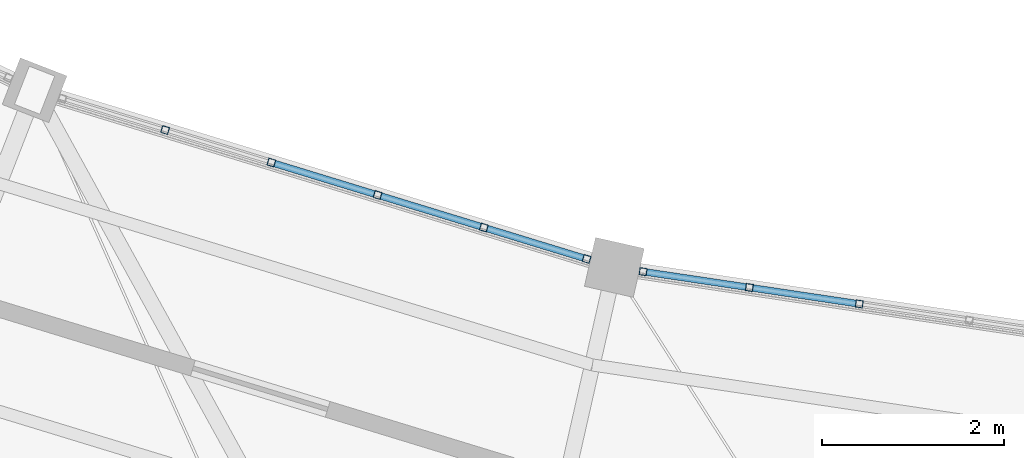
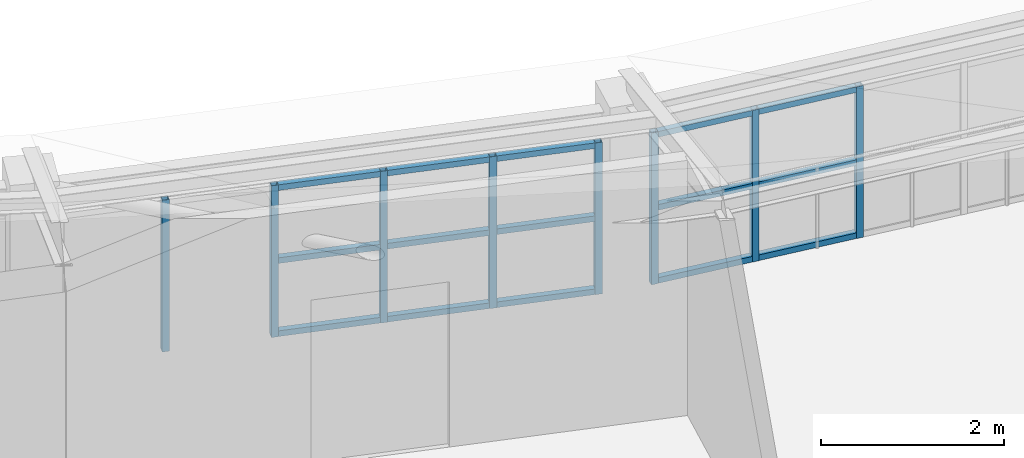
# One storey, part 35 of 149: 23 members, 2 elements without a shape of their own.
"""IFC4 building model written with IfcOpenShell, lengths in metres."""

import ifcopenshell
import ifcopenshell.guid

model = None  # the IFC model being written
_history = None  # IfcOwnerHistory: only IFC2X3 demands one
_inside = {}  # id of a spatial element -> (the spatial element, [elements in it])
_under = {}  # id of a project, library or spatial element -> (it, [spatial elements below it])
_declared = {}  # id of a project -> (the project, [libraries it declares])
_typed = {}  # id of a type object -> (the type object, [elements of that type])
_made_of = {}  # id of a material, layer set ... -> (it, [elements and type objects made of it])


def new_model(schema):
    """Start an empty IFC model of exactly this schema.

    Asked for "IFC4X3", IfcOpenShell would pick the latest addendum, in which some entities
    have other attributes; the version numbers below select the first issue.
    IFC2X3 requires an IfcOwnerHistory on every rooted entity: one is made here for all.
    """
    global model, _history
    if schema == "IFC4X3":
        model = ifcopenshell.file(schema_version=(4, 3, 0, 0))
    else:
        model = ifcopenshell.file(schema=schema)
    _inside.clear()
    _under.clear()
    _declared.clear()
    _typed.clear()
    _made_of.clear()
    _history = None
    if model.schema == "IFC2X3":
        org = make("IfcOrganization", Name="unknown")
        user = make(
            "IfcPersonAndOrganization",
            ThePerson=make("IfcPerson", FamilyName="unknown"),
            TheOrganization=org,
        )
        app = make(
            "IfcApplication",
            ApplicationDeveloper=org,
            Version="unknown",
            ApplicationFullName="unknown",
            ApplicationIdentifier="unknown",
        )
        _history = make(
            "IfcOwnerHistory",
            OwningUser=user,
            OwningApplication=app,
            ChangeAction="ADDED",
            CreationDate=0,
        )
    return model


def make(cls, **values):
    """One entity of the class cls with the attributes given. An attribute that is None is left unset."""
    return model.create_entity(
        cls, **{name: value for name, value in values.items() if value is not None}
    )


def rooted(cls, **values):
    """An entity with a GlobalId (a new one), such as an element, a storey or a relation."""
    return make(cls, GlobalId=ifcopenshell.guid.new(), OwnerHistory=_history, **values)


def si_unit(unit_type, name, prefix=None):
    """IfcSIUnit, for example si_unit("LENGTHUNIT", "METRE", prefix="MILLI")."""
    return make("IfcSIUnit", UnitType=unit_type, Prefix=prefix, Name=name)


def assignment(units):
    """IfcUnitAssignment: the units of a project."""
    return None if units is None else make("IfcUnitAssignment", Units=units)


def point(xyz):
    """IfcCartesianPoint."""
    return None if xyz is None else make("IfcCartesianPoint", Coordinates=xyz)


def direction(xyz):
    """IfcDirection."""
    return None if xyz is None else make("IfcDirection", DirectionRatios=xyz)


def frame(location, z_axis=None, x_axis=None):
    """IfcAxis2Placement3D, a coordinate frame: its origin and axes. An axis left out is left unset."""
    return make(
        "IfcAxis2Placement3D",
        Location=point(location),
        Axis=direction(z_axis),
        RefDirection=direction(x_axis),
    )


def frame_2d(location, x_axis=None):
    """IfcAxis2Placement2D, a coordinate frame in the plane: its origin and x axis."""
    return make(
        "IfcAxis2Placement2D", Location=point(location), RefDirection=direction(x_axis)
    )


def origin():
    """The frame at (0, 0, 0) with its axes left unset."""
    return frame((0.0, 0.0, 0.0))


def origin_2d():
    """The frame at (0, 0) in the plane with its x axis left unset."""
    return frame_2d((0.0, 0.0))


def place(relative_to, where):
    """IfcLocalPlacement: puts the frame where relative to a parent placement (None: the world)."""
    return make(
        "IfcLocalPlacement", PlacementRelTo=relative_to, RelativePlacement=where
    )


def context(
    kind, dimensions, precision=None, world=None, true_north=None, identifier=None
):
    """IfcGeometricRepresentationContext, for example the 3D "Model" context."""
    return make(
        "IfcGeometricRepresentationContext",
        ContextIdentifier=identifier,
        ContextType=kind,
        CoordinateSpaceDimension=dimensions,
        Precision=precision,
        WorldCoordinateSystem=world,
        TrueNorth=true_north,
    )


def subcontext(parent, identifier, kind, view, scale=None):
    """IfcGeometricRepresentationSubContext, for example "Body" below "Model"."""
    return make(
        "IfcGeometricRepresentationSubContext",
        ContextIdentifier=identifier,
        ContextType=kind,
        ParentContext=parent,
        TargetScale=scale,
        TargetView=view,
    )


def project(units=None, contexts=None):
    """IfcProject with its units and contexts."""
    return rooted(
        "IfcProject",
        Name="project",
        RepresentationContexts=contexts,
        UnitsInContext=assignment(units),
    )


def spatial(cls, under=None, at=None, **own):
    """A site, building, storey or space (cls), placed at a placement, below another one or the project."""
    s = rooted(cls, ObjectPlacement=at, **own)
    if under is not None:
        _under.setdefault(under.id(), (under, []))[1].append(s)
    return s


def profile(cls, at=None, kind="AREA", **sizes):
    """A parametric profile (cls). Its sizes go by their IFC names, for example OverallWidth=200.0."""
    return make(cls, ProfileType=kind, Position=at, **sizes)


def hollow_rectangle(**sizes):
    """IfcRectangleHollowProfileDef."""
    return profile("IfcRectangleHollowProfileDef", **sizes)


def extrude(swept, where, along, depth):
    """IfcExtrudedAreaSolid: the profile swept, set in the frame where, extruded along a direction by depth."""
    return make(
        "IfcExtrudedAreaSolid",
        SweptArea=swept,
        Position=where,
        ExtrudedDirection=direction(along),
        Depth=depth,
    )


def shape(context_of_items, identifier, shape_type, items):
    """IfcShapeRepresentation: the items that make up one representation, for example the "Body"."""
    return make(
        "IfcShapeRepresentation",
        ContextOfItems=context_of_items,
        RepresentationIdentifier=identifier,
        RepresentationType=shape_type,
        Items=items,
    )


def material(Name=None, Category=None):
    """IfcMaterial."""
    return make("IfcMaterial", Name=Name, Category=Category)


def material_profile(
    of_material, cross_section, Name=None, Category=None, Priority=None
):
    """IfcMaterialProfile: a cross section and its material."""
    return make(
        "IfcMaterialProfile",
        Name=Name,
        Material=of_material,
        Profile=cross_section,
        Priority=Priority,
        Category=Category,
    )


def profile_set(profiles, Name=None, composite=None):
    """IfcMaterialProfileSet."""
    return make(
        "IfcMaterialProfileSet",
        Name=Name,
        MaterialProfiles=profiles,
        CompositeProfile=composite,
    )


def made_of(thing, what):
    """Note that an element or type object is made of a material, layer set ...; save() writes the relation."""
    if what is not None:
        _made_of.setdefault(what.id(), (what, []))[1].append(thing)
    return thing


def type_object(cls, material=None, **own):
    """A type object (cls), such as IfcWallType, which elements share."""
    return made_of(rooted(cls, **own), material)


def element(
    cls,
    number,
    at=None,
    inside=None,
    cuts=None,
    type_object=None,
    material=None,
    context=None,
    identifier="Body",
    shape_type=None,
    held_by="IfcProductDefinitionShape",
    body=None,
    shapes=None,
    **own,
):
    """One element of the class cls, such as IfcWall. Its Tag is "e" and its number.

    at: its placement. inside: the storey or other place that contains it. cuts: it is an
    opening in that element (IfcRelVoidsElement). A single representation is given by context,
    identifier, shape_type and body (its items); several are given by shapes. held_by: the class
    of the entity that holds the representations. save() writes the other relations.
    """
    e = rooted(cls, Tag="e%d" % number, ObjectPlacement=at, **own)
    if body is not None:
        shapes = [shape(context, identifier, shape_type, body)]
    if shapes is not None:
        e.Representation = make(held_by, Representations=shapes)
    if inside is not None:
        _inside.setdefault(inside.id(), (inside, []))[1].append(e)
    if cuts is not None:
        rooted(
            "IfcRelVoidsElement", RelatingBuildingElement=cuts, RelatedOpeningElement=e
        )
    if type_object is not None:
        _typed.setdefault(type_object.id(), (type_object, []))[1].append(e)
    return made_of(e, material)


def aggregate(whole, parts):
    """IfcRelAggregates: a whole, such as a stair, and the parts it consists of."""
    return rooted("IfcRelAggregates", RelatingObject=whole, RelatedObjects=parts)


def save(model, path):
    """Write the relations noted so far, then the file.

    IfcRelAggregates (storeys below a building ...), IfcRelContainedInSpatialStructure (elements
    in a storey), IfcRelDefinesByType, IfcRelAssociatesMaterial and IfcRelDeclares: one each for
    every whole, place, type object, material and project.
    """
    for whole, parts in _under.values():
        aggregate(whole, parts)
    for where, things in _inside.values():
        rooted(
            "IfcRelContainedInSpatialStructure",
            RelatedElements=things,
            RelatingStructure=where,
        )
    for kind, things in _typed.values():
        rooted("IfcRelDefinesByType", RelatedObjects=things, RelatingType=kind)
    for what, things in _made_of.values():
        rooted("IfcRelAssociatesMaterial", RelatedObjects=things, RelatingMaterial=what)
    for by, libraries in _declared.values():
        rooted("IfcRelDeclares", RelatingContext=by, RelatedDefinitions=libraries)
    model.write(path)


model = new_model("IFC4")

# Units and contexts
model_context = context("Model", 3, precision=1e-05, world=origin(), true_north=direction((0.0, 1.0)))
body_context = subcontext(model_context, "Body", "Model", "MODEL_VIEW")
ifc_project = project(units=[si_unit("LENGTHUNIT", "METRE"), si_unit("AREAUNIT", "SQUARE_METRE"), si_unit("VOLUMEUNIT", "CUBIC_METRE"), si_unit("PLANEANGLEUNIT", "RADIAN"), si_unit("MASSUNIT", "GRAM", prefix="KILO")], contexts=[model_context])

# Site, building, storey
site_placement = place(None, origin())
site = spatial("IfcSite", under=ifc_project, at=site_placement, CompositionType="ELEMENT")
building_placement = place(site_placement, origin())
building = spatial("IfcBuilding", under=site, at=building_placement, Name="Celadon Cloister-Ring School", CompositionType="ELEMENT")
storey_placement = place(building_placement, frame((0.0, 0.0, 12.5)))
storey = spatial("IfcBuildingStorey", under=building, at=storey_placement, Name="L03", CompositionType="ELEMENT", Elevation=12.5)

# Curtain wall, members
ifc_material_1 = material(Name="Aluminium EN AW-6063 T6", Category="aluminium")
curtain_wall_type = type_object("IfcCurtainWallType", Name="CW-02", PredefinedType="USERDEFINED", material=ifc_material_1)
curtain_wall_1_placement = place(storey_placement, origin())
curtain_wall_1 = element("IfcCurtainWall", 1, at=curtain_wall_1_placement, inside=storey, type_object=curtain_wall_type, Name="Curtain Wall 0059", ObjectType="CURTAIN WALL", PredefinedType="USERDEFINED")
ifc_material_2 = material(Name="Aluminium EN AW-6063 T6", Category="aluminium")
ifc_material_profile_1 = material_profile(ifc_material_2, hollow_rectangle(XDim=0.080078125, YDim=0.080078125, WallThickness=0.00390625, at=origin_2d()), Name="RHS80X80X4")
ifc_profile_set_1 = profile_set([ifc_material_profile_1], Name="Aluminium EN AW-6063 T6")
member_type_1 = type_object("IfcMemberType", Name="CM-03", PredefinedType="MULLION", material=ifc_profile_set_1)
member_1_placement = place(storey_placement, frame((72.13330078125, 16.618896484375, 0.0), z_axis=(0.0, 0.0, 1.0), x_axis=(0.292405705746, 0.956294360146, 0.0)))
member_1 = element("IfcMember", 2, at=member_1_placement, type_object=member_type_1, Name="CW-02 mullion 2", PredefinedType="MULLION", context=body_context, shape_type="SweptSolid", body=[
    extrude(hollow_rectangle(XDim=0.080078125, YDim=0.080078125, WallThickness=0.00390625, at=origin_2d()), origin(), (0.0, 0.0, 1.0), 2.02001953125),
])
member_2_placement = place(storey_placement, frame((73.301513671875, 16.26171875, 0.0), z_axis=(0.0, 0.0, 1.0), x_axis=(0.292405705746, 0.956294360146, 0.0)))
member_2 = element("IfcMember", 3, at=member_2_placement, type_object=member_type_1, Name="CW-02 mullion 3", PredefinedType="MULLION", context=body_context, shape_type="SweptSolid", body=[
    extrude(hollow_rectangle(XDim=0.080078125, YDim=0.080078125, WallThickness=0.00390625, at=origin_2d()), origin(), (0.0, 0.0, 1.0), 2.02001953125),
])
member_3_placement = place(storey_placement, frame((74.469482421875, 15.904296875, 0.0), z_axis=(0.0, 0.0, 1.0), x_axis=(0.292405705746, 0.956294360146, 0.0)))
member_3 = element("IfcMember", 4, at=member_3_placement, type_object=member_type_1, Name="CW-02 mullion 4", PredefinedType="MULLION", context=body_context, shape_type="SweptSolid", body=[
    extrude(hollow_rectangle(XDim=0.080078125, YDim=0.080078125, WallThickness=0.00390625, at=origin_2d()), origin(), (0.0, 0.0, 1.0), 2.02001953125),
])
member_4_placement = place(storey_placement, frame((75.6376953125, 15.547119140625, 0.0), z_axis=(0.0, 0.0, 1.0), x_axis=(0.292405705746, 0.956294360146, 0.0)))
member_4 = element("IfcMember", 5, at=member_4_placement, type_object=member_type_1, Name="CW-02 mullion 5", PredefinedType="MULLION", context=body_context, shape_type="SweptSolid", body=[
    extrude(hollow_rectangle(XDim=0.080078125, YDim=0.080078125, WallThickness=0.00390625, at=origin_2d()), origin(), (0.0, 0.0, 1.0), 2.02001953125),
])
member_5_placement = place(storey_placement, frame((76.767822265625, 15.20166015625, 0.0), z_axis=(0.0, 0.0, 1.0), x_axis=(0.292405705746, 0.956294360146, 0.0)))
member_5 = element("IfcMember", 6, at=member_5_placement, type_object=member_type_1, Name="CW-02 mullion 6", PredefinedType="MULLION", context=body_context, shape_type="SweptSolid", body=[
    extrude(hollow_rectangle(XDim=0.080078125, YDim=0.080078125, WallThickness=0.00390625, at=origin_2d()), origin(), (0.0, 0.0, 1.0), 2.02001953125),
])

curtain_wall_2_placement = place(storey_placement, origin())
curtain_wall_2 = element("IfcCurtainWall", 7, at=curtain_wall_2_placement, inside=storey, type_object=curtain_wall_type, Name="Curtain Wall 0060", ObjectType="CURTAIN WALL", PredefinedType="USERDEFINED")
member_6_placement = place(storey_placement, frame((77.388671875, 15.06201171875, 0.0), z_axis=(0.0, 0.0, 1.0), x_axis=(0.147812141048, 0.989015455369, 0.0)))
member_6 = element("IfcMember", 8, at=member_6_placement, type_object=member_type_1, Name="CW-02 mullion 1", PredefinedType="MULLION", context=body_context, shape_type="SweptSolid", body=[
    extrude(hollow_rectangle(XDim=0.080078125, YDim=0.080078125, WallThickness=0.00390625, at=origin_2d()), origin(), (0.0, 0.0, 1.0), 2.02001953125),
])
member_7_placement = place(storey_placement, frame((78.557373046875, 14.887451171875, 0.0), z_axis=(0.0, 0.0, 1.0), x_axis=(0.147812141048, 0.989015455369, 0.0)))
member_7 = element("IfcMember", 9, at=member_7_placement, type_object=member_type_1, Name="CW-02 mullion 2", PredefinedType="MULLION", context=body_context, shape_type="SweptSolid", body=[
    extrude(hollow_rectangle(XDim=0.080078125, YDim=0.080078125, WallThickness=0.00390625, at=origin_2d()), origin(), (0.0, 0.0, 1.0), 2.02001953125),
])
member_8_placement = place(storey_placement, frame((79.765869140625, 14.706787109375, 0.0), z_axis=(0.0, 0.0, 1.0), x_axis=(0.147812141048, 0.989015455369, 0.0)))
member_8 = element("IfcMember", 10, at=member_8_placement, type_object=member_type_1, Name="CW-02 mullion 3", PredefinedType="MULLION", context=body_context, shape_type="SweptSolid", body=[
    extrude(hollow_rectangle(XDim=0.080078125, YDim=0.080078125, WallThickness=0.00390625, at=origin_2d()), origin(), (0.0, 0.0, 1.0), 2.02001953125),
])

# Member
ifc_material_3 = material(Name="Aluminium EN AW-6063 T6", Category="aluminium")
ifc_material_profile_2 = material_profile(ifc_material_3, hollow_rectangle(XDim=0.074951171875, YDim=0.074951171875, WallThickness=0.00390625, at=origin_2d()), Name="RHS75X75X4")
ifc_profile_set_2 = profile_set([ifc_material_profile_2], Name="Aluminium EN AW-6063 T6")
member_type_2 = type_object("IfcMemberType", Name="CTM-03", PredefinedType="USERDEFINED", material=ifc_profile_set_2)
member_9_placement = place(storey_placement, frame((73.339599609375, 16.25, 0.03759765625), z_axis=(0.956258565169, -0.292522745338, 0.0), x_axis=(0.292522745338, 0.956258565169, 0.0)))
member_9 = element("IfcMember", 11, at=member_9_placement, type_object=member_type_2, Name="CW-02 transom 3.1", ObjectType="TRANSOM", PredefinedType="USERDEFINED", context=body_context, shape_type="SweptSolid", body=[
    extrude(hollow_rectangle(XDim=0.074951171875, YDim=0.074951171875, WallThickness=0.00390625, at=origin_2d()), origin(), (0.0, 0.0, 1.0), 1.141845703125),
])

member_10_placement = place(storey_placement, frame((73.339599609375, 16.25, 1.010009765625), z_axis=(0.956258565169, -0.292522745338, 0.0), x_axis=(0.292522745338, 0.956258565169, 0.0)))
member_10 = element("IfcMember", 12, at=member_10_placement, type_object=member_type_2, Name="CW-02 transom 3.2", ObjectType="TRANSOM", PredefinedType="USERDEFINED", context=body_context, shape_type="SweptSolid", body=[
    extrude(hollow_rectangle(XDim=0.074951171875, YDim=0.074951171875, WallThickness=0.00390625, at=origin_2d()), origin(), (0.0, 0.0, 1.0), 1.141845703125),
])

member_11_placement = place(storey_placement, frame((73.339599609375, 16.25, 1.982421875), z_axis=(0.956258565169, -0.292522745338, 0.0), x_axis=(0.292522745338, 0.956258565169, 0.0)))
member_11 = element("IfcMember", 13, at=member_11_placement, type_object=member_type_2, Name="CW-02 transom 3.3", ObjectType="TRANSOM", PredefinedType="USERDEFINED", context=body_context, shape_type="SweptSolid", body=[
    extrude(hollow_rectangle(XDim=0.074951171875, YDim=0.074951171875, WallThickness=0.00390625, at=origin_2d()), origin(), (0.0, 0.0, 1.0), 1.141845703125),
])

member_12_placement = place(storey_placement, frame((74.5078125, 15.892822265625, 0.03759765625), z_axis=(0.956258565169, -0.292522745338, 0.0), x_axis=(0.292522745338, 0.956258565169, 0.0)))
member_12 = element("IfcMember", 14, at=member_12_placement, type_object=member_type_2, Name="CW-02 transom 4.1", ObjectType="TRANSOM", PredefinedType="USERDEFINED", context=body_context, shape_type="SweptSolid", body=[
    extrude(hollow_rectangle(XDim=0.074951171875, YDim=0.074951171875, WallThickness=0.00390625, at=origin_2d()), origin(), (0.0, 0.0, 1.0), 1.141845703125),
])

member_13_placement = place(storey_placement, frame((74.5078125, 15.892822265625, 1.010009765625), z_axis=(0.956258565169, -0.292522745338, 0.0), x_axis=(0.292522745338, 0.956258565169, 0.0)))
member_13 = element("IfcMember", 15, at=member_13_placement, type_object=member_type_2, Name="CW-02 transom 4.2", ObjectType="TRANSOM", PredefinedType="USERDEFINED", context=body_context, shape_type="SweptSolid", body=[
    extrude(hollow_rectangle(XDim=0.074951171875, YDim=0.074951171875, WallThickness=0.00390625, at=origin_2d()), origin(), (0.0, 0.0, 1.0), 1.141845703125),
])

member_14_placement = place(storey_placement, frame((74.5078125, 15.892822265625, 1.982421875), z_axis=(0.956258565169, -0.292522745338, 0.0), x_axis=(0.292522745338, 0.956258565169, 0.0)))
member_14 = element("IfcMember", 16, at=member_14_placement, type_object=member_type_2, Name="CW-02 transom 4.3", ObjectType="TRANSOM", PredefinedType="USERDEFINED", context=body_context, shape_type="SweptSolid", body=[
    extrude(hollow_rectangle(XDim=0.074951171875, YDim=0.074951171875, WallThickness=0.00390625, at=origin_2d()), origin(), (0.0, 0.0, 1.0), 1.141845703125),
])

member_15_placement = place(storey_placement, frame((75.676025390625, 15.535400390625, 0.03759765625), z_axis=(0.956318876314, -0.292325515147, 0.0), x_axis=(0.292325515147, 0.956318876314, 0.0)))
member_15 = element("IfcMember", 17, at=member_15_placement, type_object=member_type_2, Name="CW-02 transom 5.1", ObjectType="TRANSOM", PredefinedType="USERDEFINED", context=body_context, shape_type="SweptSolid", body=[
    extrude(hollow_rectangle(XDim=0.074951171875, YDim=0.074951171875, WallThickness=0.00390625, at=origin_2d()), origin(), (0.0, 0.0, 1.0), 1.1015625),
])

member_16_placement = place(storey_placement, frame((75.676025390625, 15.535400390625, 1.010009765625), z_axis=(0.956318876314, -0.292325515147, 0.0), x_axis=(0.292325515147, 0.956318876314, 0.0)))
member_16 = element("IfcMember", 18, at=member_16_placement, type_object=member_type_2, Name="CW-02 transom 5.2", ObjectType="TRANSOM", PredefinedType="USERDEFINED", context=body_context, shape_type="SweptSolid", body=[
    extrude(hollow_rectangle(XDim=0.074951171875, YDim=0.074951171875, WallThickness=0.00390625, at=origin_2d()), origin(), (0.0, 0.0, 1.0), 1.1015625),
])

member_17_placement = place(storey_placement, frame((75.676025390625, 15.535400390625, 1.982421875), z_axis=(0.956318876314, -0.292325515147, 0.0), x_axis=(0.292325515147, 0.956318876314, 0.0)))
member_17 = element("IfcMember", 19, at=member_17_placement, type_object=member_type_2, Name="CW-02 transom 5.3", ObjectType="TRANSOM", PredefinedType="USERDEFINED", context=body_context, shape_type="SweptSolid", body=[
    extrude(hollow_rectangle(XDim=0.074951171875, YDim=0.074951171875, WallThickness=0.00390625, at=origin_2d()), origin(), (0.0, 0.0, 1.0), 1.1015625),
])

aggregate(curtain_wall_1, [member_1, member_2, member_3, member_4, member_5, member_9, member_10, member_11, member_12, member_13, member_14, member_15, member_16, member_17])

member_18_placement = place(storey_placement, frame((77.42822265625, 15.05615234375, 0.03759765625), z_axis=(0.989015857499, -0.147809450359, 0.0), x_axis=(0.147809450359, 0.989015857499, 0.0)))
member_18 = element("IfcMember", 20, at=member_18_placement, type_object=member_type_2, Name="CW-02 transom 1.1", ObjectType="TRANSOM", PredefinedType="USERDEFINED", context=body_context, shape_type="SweptSolid", body=[
    extrude(hollow_rectangle(XDim=0.074951171875, YDim=0.074951171875, WallThickness=0.00390625, at=origin_2d()), origin(), (0.0, 0.0, 1.0), 1.101806640625),
])

member_19_placement = place(storey_placement, frame((77.42822265625, 15.05615234375, 1.010009765625), z_axis=(0.989015857499, -0.147809450359, 0.0), x_axis=(0.147809450359, 0.989015857499, 0.0)))
member_19 = element("IfcMember", 21, at=member_19_placement, type_object=member_type_2, Name="CW-02 transom 1.2", ObjectType="TRANSOM", PredefinedType="USERDEFINED", context=body_context, shape_type="SweptSolid", body=[
    extrude(hollow_rectangle(XDim=0.074951171875, YDim=0.074951171875, WallThickness=0.00390625, at=origin_2d()), origin(), (0.0, 0.0, 1.0), 1.101806640625),
])

member_20_placement = place(storey_placement, frame((77.42822265625, 15.05615234375, 1.982421875), z_axis=(0.989015857499, -0.147809450359, 0.0), x_axis=(0.147809450359, 0.989015857499, 0.0)))
member_20 = element("IfcMember", 22, at=member_20_placement, type_object=member_type_2, Name="CW-02 transom 1.3", ObjectType="TRANSOM", PredefinedType="USERDEFINED", context=body_context, shape_type="SweptSolid", body=[
    extrude(hollow_rectangle(XDim=0.074951171875, YDim=0.074951171875, WallThickness=0.00390625, at=origin_2d()), origin(), (0.0, 0.0, 1.0), 1.101806640625),
])

member_21_placement = place(storey_placement, frame((78.596923828125, 14.881591796875, 0.03759765625), z_axis=(0.988995862665, -0.147943177035, 0.0), x_axis=(0.147943177035, 0.988995862665, 0.0)))
member_21 = element("IfcMember", 23, at=member_21_placement, type_object=member_type_2, Name="CW-02 transom 2.1", ObjectType="TRANSOM", PredefinedType="USERDEFINED", context=body_context, shape_type="SweptSolid", body=[
    extrude(hollow_rectangle(XDim=0.074951171875, YDim=0.074951171875, WallThickness=0.00390625, at=origin_2d()), origin(), (0.0, 0.0, 1.0), 1.141845703125),
])

member_22_placement = place(storey_placement, frame((78.596923828125, 14.881591796875, 1.010009765625), z_axis=(0.988995862665, -0.147943177035, 0.0), x_axis=(0.147943177035, 0.988995862665, 0.0)))
member_22 = element("IfcMember", 24, at=member_22_placement, type_object=member_type_2, Name="CW-02 transom 2.2", ObjectType="TRANSOM", PredefinedType="USERDEFINED", context=body_context, shape_type="SweptSolid", body=[
    extrude(hollow_rectangle(XDim=0.074951171875, YDim=0.074951171875, WallThickness=0.00390625, at=origin_2d()), origin(), (0.0, 0.0, 1.0), 1.141845703125),
])

member_23_placement = place(storey_placement, frame((78.596923828125, 14.881591796875, 1.982421875), z_axis=(0.988995862665, -0.147943177035, 0.0), x_axis=(0.147943177035, 0.988995862665, 0.0)))
member_23 = element("IfcMember", 25, at=member_23_placement, type_object=member_type_2, Name="CW-02 transom 2.3", ObjectType="TRANSOM", PredefinedType="USERDEFINED", context=body_context, shape_type="SweptSolid", body=[
    extrude(hollow_rectangle(XDim=0.074951171875, YDim=0.074951171875, WallThickness=0.00390625, at=origin_2d()), origin(), (0.0, 0.0, 1.0), 1.141845703125),
])

aggregate(curtain_wall_2, [member_6, member_7, member_8, member_18, member_19, member_20, member_21, member_22, member_23])

save(model, "model.ifc")
